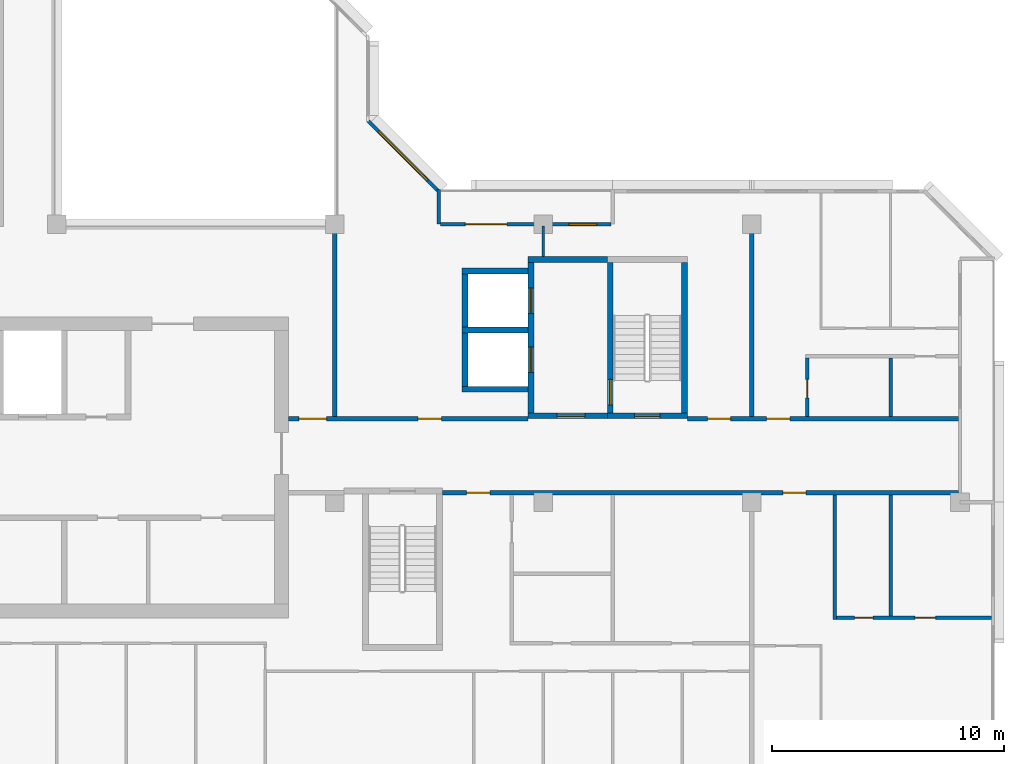
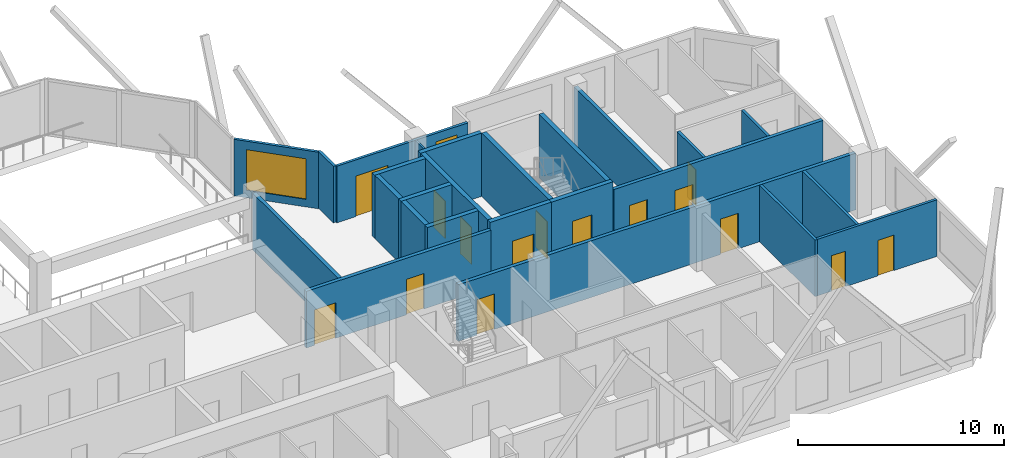
# One storey, part 7 of 13: 25 walls, 15 doors, 2 windows, 17 openings.
"""IFC4 building model written with IfcOpenShell, lengths in metres."""

import ifcopenshell
import ifcopenshell.guid

model = None  # the IFC model being written
_history = None  # IfcOwnerHistory: only IFC2X3 demands one
_inside = {}  # id of a spatial element -> (the spatial element, [elements in it])
_under = {}  # id of a project, library or spatial element -> (it, [spatial elements below it])
_declared = {}  # id of a project -> (the project, [libraries it declares])
_typed = {}  # id of a type object -> (the type object, [elements of that type])
_made_of = {}  # id of a material, layer set ... -> (it, [elements and type objects made of it])


def new_model(schema):
    """Start an empty IFC model of exactly this schema.

    Asked for "IFC4X3", IfcOpenShell would pick the latest addendum, in which some entities
    have other attributes; the version numbers below select the first issue.
    IFC2X3 requires an IfcOwnerHistory on every rooted entity: one is made here for all.
    """
    global model, _history
    if schema == "IFC4X3":
        model = ifcopenshell.file(schema_version=(4, 3, 0, 0))
    else:
        model = ifcopenshell.file(schema=schema)
    _inside.clear()
    _under.clear()
    _declared.clear()
    _typed.clear()
    _made_of.clear()
    _history = None
    if model.schema == "IFC2X3":
        org = make("IfcOrganization", Name="unknown")
        user = make(
            "IfcPersonAndOrganization",
            ThePerson=make("IfcPerson", FamilyName="unknown"),
            TheOrganization=org,
        )
        app = make(
            "IfcApplication",
            ApplicationDeveloper=org,
            Version="unknown",
            ApplicationFullName="unknown",
            ApplicationIdentifier="unknown",
        )
        _history = make(
            "IfcOwnerHistory",
            OwningUser=user,
            OwningApplication=app,
            ChangeAction="ADDED",
            CreationDate=0,
        )
    return model


def make(cls, **values):
    """One entity of the class cls with the attributes given. An attribute that is None is left unset."""
    return model.create_entity(
        cls, **{name: value for name, value in values.items() if value is not None}
    )


def rooted(cls, **values):
    """An entity with a GlobalId (a new one), such as an element, a storey or a relation."""
    return make(cls, GlobalId=ifcopenshell.guid.new(), OwnerHistory=_history, **values)


def si_unit(unit_type, name, prefix=None):
    """IfcSIUnit, for example si_unit("LENGTHUNIT", "METRE", prefix="MILLI")."""
    return make("IfcSIUnit", UnitType=unit_type, Prefix=prefix, Name=name)


def assignment(units):
    """IfcUnitAssignment: the units of a project."""
    return None if units is None else make("IfcUnitAssignment", Units=units)


def point(xyz):
    """IfcCartesianPoint."""
    return None if xyz is None else make("IfcCartesianPoint", Coordinates=xyz)


def direction(xyz):
    """IfcDirection."""
    return None if xyz is None else make("IfcDirection", DirectionRatios=xyz)


def frame(location, z_axis=None, x_axis=None):
    """IfcAxis2Placement3D, a coordinate frame: its origin and axes. An axis left out is left unset."""
    return make(
        "IfcAxis2Placement3D",
        Location=point(location),
        Axis=direction(z_axis),
        RefDirection=direction(x_axis),
    )


def frame_2d(location, x_axis=None):
    """IfcAxis2Placement2D, a coordinate frame in the plane: its origin and x axis."""
    return make(
        "IfcAxis2Placement2D", Location=point(location), RefDirection=direction(x_axis)
    )


def origin():
    """The frame at (0, 0, 0) with its axes left unset."""
    return frame((0.0, 0.0, 0.0))


def place(relative_to, where):
    """IfcLocalPlacement: puts the frame where relative to a parent placement (None: the world)."""
    return make(
        "IfcLocalPlacement", PlacementRelTo=relative_to, RelativePlacement=where
    )


def context(
    kind, dimensions, precision=None, world=None, true_north=None, identifier=None
):
    """IfcGeometricRepresentationContext, for example the 3D "Model" context."""
    return make(
        "IfcGeometricRepresentationContext",
        ContextIdentifier=identifier,
        ContextType=kind,
        CoordinateSpaceDimension=dimensions,
        Precision=precision,
        WorldCoordinateSystem=world,
        TrueNorth=true_north,
    )


def subcontext(parent, identifier, kind, view, scale=None):
    """IfcGeometricRepresentationSubContext, for example "Body" below "Model"."""
    return make(
        "IfcGeometricRepresentationSubContext",
        ContextIdentifier=identifier,
        ContextType=kind,
        ParentContext=parent,
        TargetScale=scale,
        TargetView=view,
    )


def project(units=None, contexts=None):
    """IfcProject with its units and contexts."""
    return rooted(
        "IfcProject",
        Name="project",
        RepresentationContexts=contexts,
        UnitsInContext=assignment(units),
    )


def spatial(cls, under=None, at=None, **own):
    """A site, building, storey or space (cls), placed at a placement, below another one or the project."""
    s = rooted(cls, ObjectPlacement=at, **own)
    if under is not None:
        _under.setdefault(under.id(), (under, []))[1].append(s)
    return s


def profile(cls, at=None, kind="AREA", **sizes):
    """A parametric profile (cls). Its sizes go by their IFC names, for example OverallWidth=200.0."""
    return make(cls, ProfileType=kind, Position=at, **sizes)


def rectangle(**sizes):
    """IfcRectangleProfileDef."""
    return profile("IfcRectangleProfileDef", **sizes)


def extrude(swept, where, along, depth):
    """IfcExtrudedAreaSolid: the profile swept, set in the frame where, extruded along a direction by depth."""
    return make(
        "IfcExtrudedAreaSolid",
        SweptArea=swept,
        Position=where,
        ExtrudedDirection=direction(along),
        Depth=depth,
    )


def shape(context_of_items, identifier, shape_type, items):
    """IfcShapeRepresentation: the items that make up one representation, for example the "Body"."""
    return make(
        "IfcShapeRepresentation",
        ContextOfItems=context_of_items,
        RepresentationIdentifier=identifier,
        RepresentationType=shape_type,
        Items=items,
    )


def material(Name=None, Category=None):
    """IfcMaterial."""
    return make("IfcMaterial", Name=Name, Category=Category)


def layer(
    of_material, thickness, ventilated=None, Name=None, Category=None, Priority=None
):
    """IfcMaterialLayer: one layer of a wall or slab, of a material (None: an air gap)."""
    return make(
        "IfcMaterialLayer",
        Material=of_material,
        LayerThickness=thickness,
        IsVentilated=ventilated,
        Name=Name,
        Category=Category,
        Priority=Priority,
    )


def layer_set(layers, Name=None):
    """IfcMaterialLayerSet."""
    return make("IfcMaterialLayerSet", MaterialLayers=layers, LayerSetName=Name)


def made_of(thing, what):
    """Note that an element or type object is made of a material, layer set ...; save() writes the relation."""
    if what is not None:
        _made_of.setdefault(what.id(), (what, []))[1].append(thing)
    return thing


def type_object(cls, material=None, **own):
    """A type object (cls), such as IfcWallType, which elements share."""
    return made_of(rooted(cls, **own), material)


def element(
    cls,
    number,
    at=None,
    inside=None,
    cuts=None,
    type_object=None,
    material=None,
    context=None,
    identifier="Body",
    shape_type=None,
    held_by="IfcProductDefinitionShape",
    body=None,
    shapes=None,
    **own,
):
    """One element of the class cls, such as IfcWall. Its Tag is "e" and its number.

    at: its placement. inside: the storey or other place that contains it. cuts: it is an
    opening in that element (IfcRelVoidsElement). A single representation is given by context,
    identifier, shape_type and body (its items); several are given by shapes. held_by: the class
    of the entity that holds the representations. save() writes the other relations.
    """
    e = rooted(cls, Tag="e%d" % number, ObjectPlacement=at, **own)
    if body is not None:
        shapes = [shape(context, identifier, shape_type, body)]
    if shapes is not None:
        e.Representation = make(held_by, Representations=shapes)
    if inside is not None:
        _inside.setdefault(inside.id(), (inside, []))[1].append(e)
    if cuts is not None:
        rooted(
            "IfcRelVoidsElement", RelatingBuildingElement=cuts, RelatedOpeningElement=e
        )
    if type_object is not None:
        _typed.setdefault(type_object.id(), (type_object, []))[1].append(e)
    return made_of(e, material)


def fill(opening, filler):
    """IfcRelFillsElement: the door or window that sits in an opening."""
    return rooted(
        "IfcRelFillsElement",
        RelatingOpeningElement=opening,
        RelatedBuildingElement=filler,
    )


def aggregate(whole, parts):
    """IfcRelAggregates: a whole, such as a stair, and the parts it consists of."""
    return rooted("IfcRelAggregates", RelatingObject=whole, RelatedObjects=parts)


def save(model, path):
    """Write the relations noted so far, then the file.

    IfcRelAggregates (storeys below a building ...), IfcRelContainedInSpatialStructure (elements
    in a storey), IfcRelDefinesByType, IfcRelAssociatesMaterial and IfcRelDeclares: one each for
    every whole, place, type object, material and project.
    """
    for whole, parts in _under.values():
        aggregate(whole, parts)
    for where, things in _inside.values():
        rooted(
            "IfcRelContainedInSpatialStructure",
            RelatedElements=things,
            RelatingStructure=where,
        )
    for kind, things in _typed.values():
        rooted("IfcRelDefinesByType", RelatedObjects=things, RelatingType=kind)
    for what, things in _made_of.values():
        rooted("IfcRelAssociatesMaterial", RelatedObjects=things, RelatingMaterial=what)
    for by, libraries in _declared.values():
        rooted("IfcRelDeclares", RelatingContext=by, RelatedDefinitions=libraries)
    model.write(path)


model = new_model("IFC4")

# Units and contexts
model_context = context("Model", 3, precision=1e-05, world=origin(), true_north=direction((0.0, 1.0)))
body_context = subcontext(model_context, "Body", "Model", "MODEL_VIEW")
ifc_project = project(units=[si_unit("LENGTHUNIT", "METRE"), si_unit("AREAUNIT", "SQUARE_METRE"), si_unit("VOLUMEUNIT", "CUBIC_METRE"), si_unit("PLANEANGLEUNIT", "RADIAN"), si_unit("MASSUNIT", "GRAM", prefix="KILO")], contexts=[model_context])

# Site, building, storey
site_placement = place(None, origin())
site = spatial("IfcSite", under=ifc_project, at=site_placement, CompositionType="ELEMENT")
building_placement = place(site_placement, origin())
building = spatial("IfcBuilding", under=site, at=building_placement, Name="Chenar Terraces", CompositionType="ELEMENT")
storey_placement = place(building_placement, frame((0.0, 0.0, 280.89990234375)))
storey = spatial("IfcBuildingStorey", under=building, at=storey_placement, Name="L65", CompositionType="ELEMENT", Elevation=280.89990234375)

# Wall, opening, door
ifc_material_1 = material(Name="Concrete C50/60", Category="concrete")
ifc_layer_1 = layer(ifc_material_1, 0.25)
ifc_layer_set_1 = layer_set([ifc_layer_1], Name="Concrete C50/60")
wall_type_1 = type_object("IfcWallType", Name="Core wall 250 Concrete C50/60", PredefinedType="SHEAR", material=ifc_layer_set_1)
wall_1_placement = place(storey_placement, frame((47.77490234375, 15.72509765625, 0.0), z_axis=(0.0, 0.0, 1.0), x_axis=(1.0, 0.0, 0.0)))
wall_1 = element("IfcWall", 1, at=wall_1_placement, inside=storey, type_object=wall_type_1, Name="Core wall ST3_S L65", PredefinedType="SHEAR", context=body_context, shape_type="SweptSolid", body=[
    extrude(rectangle(XDim=3.4501953125, YDim=0.25, at=frame_2d((1.72509765625, 0.0))), origin(), (0.0, 0.0, 1.0), 3.75),
])
opening_1_placement = place(wall_1_placement, frame((1.175048828125, 0.0, 0.0)))
opening_1 = element("IfcOpeningElement", 2, at=opening_1_placement, cuts=wall_1, Name="Opening DL65-C8", PredefinedType="OPENING", context=body_context, shape_type="SweptSolid", body=[
    extrude(rectangle(XDim=1.10009765625, YDim=2.199951171875, at=frame_2d((0.550048828125, 1.10009765625))), frame((0.0, 0.135009765625, 0.0), z_axis=(0.0, -1.0, 0.0), x_axis=(1.0, 0.0, 0.0)), (0.0, 0.0, 1.0), 0.27001953125),
])
ifc_material_2 = material(Name="Steel-framed fire-resisting door leaf", Category="steel")
door_type_1 = type_object("IfcDoorType", Name="Stair fire door FD60 1100 x 2200", OperationType="SINGLE_SWING_LEFT", PredefinedType="DOOR", material=ifc_material_2)
door_1_placement = place(opening_1_placement, frame((1.10009765625, 0.0, 0.0), z_axis=(0.0, 0.0, 1.0), x_axis=(-1.0, 0.0, 0.0)))
door_1 = element("IfcDoor", 3, at=door_1_placement, inside=storey, type_object=door_type_1, Name="Stair door DL65-C8", OperationType="SINGLE_SWING_LEFT", OverallHeight=2.199951171875, OverallWidth=1.10009765625, PredefinedType="DOOR", context=body_context, shape_type="SweptSolid", body=[
    extrude(rectangle(XDim=1.10009765625, YDim=2.199951171875, at=frame_2d((0.550048828125, 1.10009765625))), frame((0.0, 0.02490234375, 0.0), z_axis=(0.0, -1.0, 0.0), x_axis=(1.0, 0.0, 0.0)), (0.0, 0.0, 1.0), 0.050048828125),
])
fill(opening_1, door_1)

wall_2_placement = place(storey_placement, frame((47.89990234375, 15.85009765625, 0.0), z_axis=(0.0, 0.0, 1.0), x_axis=(0.0, 1.0, 0.0)))
wall_2 = element("IfcWall", 4, at=wall_2_placement, inside=storey, type_object=wall_type_1, Name="Core wall ST3_W L65", PredefinedType="SHEAR", context=body_context, shape_type="SweptSolid", body=[
    extrude(rectangle(XDim=6.5, YDim=0.25, at=frame_2d((3.25, 0.0))), origin(), (0.0, 0.0, 1.0), 3.75),
])
opening_2_placement = place(wall_2_placement, frame((0.35009765625, 0.0, 0.0)))
opening_2 = element("IfcOpeningElement", 5, at=opening_2_placement, cuts=wall_2, Name="Opening DL65-C11", PredefinedType="OPENING", context=body_context, shape_type="SweptSolid", body=[
    extrude(rectangle(XDim=1.10009765625, YDim=2.199951171875, at=frame_2d((0.550048828125, 1.10009765625))), frame((0.0, 0.135009765625, 0.0), z_axis=(0.0, -1.0, 0.0), x_axis=(1.0, 0.0, 0.0)), (0.0, 0.0, 1.0), 0.27001953125),
])
door_2_placement = place(opening_2_placement, frame((1.10009765625, 0.0, 0.0), z_axis=(0.0, 0.0, 1.0), x_axis=(-1.0, 0.0, 0.0)))
door_2 = element("IfcDoor", 6, at=door_2_placement, inside=storey, type_object=door_type_1, Name="Stair door DL65-C11", OperationType="SINGLE_SWING_RIGHT", OverallHeight=2.199951171875, OverallWidth=1.10009765625, PredefinedType="DOOR", context=body_context, shape_type="SweptSolid", body=[
    extrude(rectangle(XDim=1.10009765625, YDim=2.199951171875, at=frame_2d((0.550048828125, 1.10009765625))), frame((0.0, 0.02490234375, 0.0), z_axis=(0.0, -1.0, 0.0), x_axis=(1.0, 0.0, 0.0)), (0.0, 0.0, 1.0), 0.050048828125),
])
fill(opening_2, door_2)

# Wall
wall_3_placement = place(storey_placement, frame((51.10009765625, 15.85009765625, 0.0), z_axis=(0.0, 0.0, 1.0), x_axis=(0.0, 1.0, 0.0)))
element("IfcWall", 7, at=wall_3_placement, inside=storey, type_object=wall_type_1, Name="Core wall ST3_E L65", PredefinedType="SHEAR", context=body_context, shape_type="SweptSolid", body=[
    extrude(rectangle(XDim=6.5, YDim=0.25, at=frame_2d((3.25, 0.0))), origin(), (0.0, 0.0, 1.0), 3.75),
])

# Wall, opening, door
wall_4_placement = place(storey_placement, frame((44.35009765625, 15.72509765625, 0.0), z_axis=(0.0, 0.0, 1.0), x_axis=(1.0, 0.0, 0.0)))
wall_4 = element("IfcWall", 8, at=wall_4_placement, inside=storey, type_object=wall_type_1, Name="Core wall F3_LS L65", PredefinedType="SHEAR", context=body_context, shape_type="SweptSolid", body=[
    extrude(rectangle(XDim=3.4248046875, YDim=0.25, at=frame_2d((1.71240234375, 0.0))), origin(), (0.0, 0.0, 1.0), 3.75),
])
opening_3_placement = place(wall_4_placement, frame((1.25, 0.0, 0.0)))
opening_3 = element("IfcOpeningElement", 9, at=opening_3_placement, cuts=wall_4, Name="Opening DL65-C10", PredefinedType="OPENING", context=body_context, shape_type="SweptSolid", body=[
    extrude(rectangle(XDim=1.199951171875, YDim=2.199951171875, at=frame_2d((0.60009765625, 1.10009765625))), frame((0.0, 0.135009765625, 0.0), z_axis=(0.0, -1.0, 0.0), x_axis=(1.0, 0.0, 0.0)), (0.0, 0.0, 1.0), 0.27001953125),
])
ifc_material_3 = material(Name="Steel-framed fire-resisting door leaf", Category="steel")
door_type_2 = type_object("IfcDoorType", Name="Lobby fire door FD60 1200 x 2200", OperationType="SINGLE_SWING_LEFT", PredefinedType="DOOR", material=ifc_material_3)
door_3_placement = place(opening_3_placement, origin())
door_3 = element("IfcDoor", 10, at=door_3_placement, inside=storey, type_object=door_type_2, Name="Core door DL65-C10", OperationType="SINGLE_SWING_RIGHT", OverallHeight=2.199951171875, OverallWidth=1.199951171875, PredefinedType="DOOR", context=body_context, shape_type="SweptSolid", body=[
    extrude(rectangle(XDim=1.199951171875, YDim=2.199951171875, at=frame_2d((0.60009765625, 1.10009765625))), frame((0.0, 0.02490234375, 0.0), z_axis=(0.0, -1.0, 0.0), x_axis=(1.0, 0.0, 0.0)), (0.0, 0.0, 1.0), 0.050048828125),
])
fill(opening_3, door_3)

# Wall
wall_5_placement = place(storey_placement, frame((44.35009765625, 22.47509765625, 0.0), z_axis=(0.0, 0.0, 1.0), x_axis=(1.0, 0.0, 0.0)))
element("IfcWall", 11, at=wall_5_placement, inside=storey, type_object=wall_type_1, Name="Core wall F3_LN L65", PredefinedType="SHEAR", context=body_context, shape_type="SweptSolid", body=[
    extrude(rectangle(XDim=3.4248046875, YDim=0.25, at=frame_2d((1.71240234375, 0.0))), origin(), (0.0, 0.0, 1.0), 3.75),
])

# Wall, openings, doors
wall_6_placement = place(storey_placement, frame((44.47509765625, 15.85009765625, 0.0), z_axis=(0.0, 0.0, 1.0), x_axis=(0.0, 1.0, 0.0)))
wall_6 = element("IfcWall", 12, at=wall_6_placement, inside=storey, type_object=wall_type_1, Name="Core wall F3_LW L65", PredefinedType="SHEAR", context=body_context, shape_type="SweptSolid", body=[
    extrude(rectangle(XDim=6.5, YDim=0.25, at=frame_2d((3.25, 0.0))), origin(), (0.0, 0.0, 1.0), 3.75),
])
opening_4_placement = place(wall_6_placement, frame((1.75, 0.0, 0.0)))
opening_4 = element("IfcOpeningElement", 13, at=opening_4_placement, cuts=wall_6, Name="Opening DL65-LD8", PredefinedType="OPENING", context=body_context, shape_type="SweptSolid", body=[
    extrude(rectangle(XDim=1.10009765625, YDim=2.199951171875, at=frame_2d((0.550048828125, 1.10009765625))), frame((0.0, 0.135009765625, 0.0), z_axis=(0.0, -1.0, 0.0), x_axis=(1.0, 0.0, 0.0)), (0.0, 0.0, 1.0), 0.27001953125),
])
opening_5_placement = place(wall_6_placement, frame((4.300048828125, 0.0, 0.0)))
opening_5 = element("IfcOpeningElement", 14, at=opening_5_placement, cuts=wall_6, Name="Opening DL65-LD9", PredefinedType="OPENING", context=body_context, shape_type="SweptSolid", body=[
    extrude(rectangle(XDim=1.10009765625, YDim=2.199951171875, at=frame_2d((0.550048828125, 1.10009765625))), frame((0.0, 0.135009765625, 0.0), z_axis=(0.0, -1.0, 0.0), x_axis=(1.0, 0.0, 0.0)), (0.0, 0.0, 1.0), 0.27001953125),
])
ifc_material_4 = material(Name="Stainless steel", Category="steel")
door_type_3 = type_object("IfcDoorType", Name="Lift landing door 1100 x 2200 sliding", OperationType="DOUBLE_DOOR_SLIDING", PredefinedType="DOOR", material=ifc_material_4)
door_4_placement = place(opening_4_placement, origin())
door_4 = element("IfcDoor", 15, at=door_4_placement, inside=storey, type_object=door_type_3, Name="Landing door F3", OperationType="DOUBLE_DOOR_SLIDING", OverallHeight=2.199951171875, OverallWidth=1.10009765625, PredefinedType="DOOR", context=body_context, shape_type="SweptSolid", body=[
    extrude(rectangle(XDim=1.10009765625, YDim=2.199951171875, at=frame_2d((0.550048828125, 1.10009765625))), frame((0.0, 0.02490234375, 0.0), z_axis=(0.0, -1.0, 0.0), x_axis=(1.0, 0.0, 0.0)), (0.0, 0.0, 1.0), 0.050048828125),
])
fill(opening_4, door_4)
door_5_placement = place(opening_5_placement, origin())
door_5 = element("IfcDoor", 16, at=door_5_placement, inside=storey, type_object=door_type_3, Name="Landing door F4", OperationType="DOUBLE_DOOR_SLIDING", OverallHeight=2.199951171875, OverallWidth=1.10009765625, PredefinedType="DOOR", context=body_context, shape_type="SweptSolid", body=[
    extrude(rectangle(XDim=1.10009765625, YDim=2.199951171875, at=frame_2d((0.550048828125, 1.10009765625))), frame((0.0, 0.02490234375, 0.0), z_axis=(0.0, -1.0, 0.0), x_axis=(1.0, 0.0, 0.0)), (0.0, 0.0, 1.0), 0.050048828125),
])
fill(opening_5, door_5)

# Walls
for number, where, z_axis, x_axis, name in (
    (17, (41.5, 16.875, 0.0), (0.0, 0.0, 1.0), (1.0, 0.0, 0.0), "Core wall F3_SS L65"),
    (18, (41.5, 19.425048828125, 0.0), (0.0, 0.0, 1.0), (1.0, 0.0, 0.0), "Core wall F3_SM L65"),
    (19, (41.5, 21.97509765625, 0.0), (0.0, 0.0, 1.0), (1.0, 0.0, 0.0), "Core wall F4_SN L65"),
):
    element("IfcWall", number, at=place(storey_placement, frame(where, z_axis=z_axis, x_axis=x_axis)), inside=storey, type_object=wall_type_1, Name=name, PredefinedType="SHEAR", context=body_context, shape_type="SweptSolid", body=[
        extrude(rectangle(XDim=2.85009765625, YDim=0.25, at=frame_2d((1.425048828125, 0.0))), origin(), (0.0, 0.0, 1.0), 3.75),
    ])
for number, where, z_axis, x_axis, name in (
    (20, (41.625, 17.0, 0.0), (0.0, 0.0, 1.0), (0.0, 1.0, 0.0), "Core wall F3_SW L65"),
    (21, (41.625, 19.550048828125, 0.0), (0.0, 0.0, 1.0), (0.0, 1.0, 0.0), "Core wall F4_SW L65"),
):
    element("IfcWall", number, at=place(storey_placement, frame(where, z_axis=z_axis, x_axis=x_axis)), inside=storey, type_object=wall_type_1, Name=name, PredefinedType="SHEAR", context=body_context, shape_type="SweptSolid", body=[
        extrude(rectangle(XDim=2.300048828125, YDim=0.25, at=frame_2d((1.14990234375, 0.0))), origin(), (0.0, 0.0, 1.0), 3.75),
    ])

# Wall, openings, doors
ifc_material_5 = material(Name="Gypsum board on steel studs with fire boards", Category="steel")
ifc_layer_2 = layer(ifc_material_5, 0.199951171875)
ifc_layer_set_2 = layer_set([ifc_layer_2], Name="Gypsum board on steel studs with fire boards")
wall_type_2 = type_object("IfcWallType", Name="Corridor wall 200", PredefinedType="PARTITIONING", material=ifc_layer_set_2)
wall_7_placement = place(storey_placement, frame((34.0, 15.60009765625, 0.0), z_axis=(0.0, 0.0, 1.0), x_axis=(1.0, 0.0, 0.0)))
wall_7 = element("IfcWall", 22, at=wall_7_placement, inside=storey, type_object=wall_type_2, Name="Partition L65-049", PredefinedType="PARTITIONING", context=body_context, shape_type="SweptSolid", body=[
    extrude(rectangle(XDim=10.35009765625, YDim=0.199951171875, at=frame_2d((5.175048828125, 0.0))), origin(), (0.0, 0.0, 1.0), 3.35009765625),
])
opening_6_placement = place(wall_7_placement, frame((5.60009765625, 0.0, 0.0)))
opening_6 = element("IfcOpeningElement", 23, at=opening_6_placement, cuts=wall_7, Name="Opening DL65-3", PredefinedType="OPENING", context=body_context, shape_type="SweptSolid", body=[
    extrude(rectangle(XDim=1.0, YDim=2.10009765625, at=frame_2d((0.5, 1.050048828125))), frame((0.0, 0.10986328125, 0.0), z_axis=(0.0, -1.0, 0.0), x_axis=(1.0, 0.0, 0.0)), (0.0, 0.0, 1.0), 0.219970703125),
])
opening_7_placement = place(wall_7_placement, frame((0.449951171875, 0.0, 0.0)))
opening_7 = element("IfcOpeningElement", 24, at=opening_7_placement, cuts=wall_7, Name="Opening DL65-28", PredefinedType="OPENING", context=body_context, shape_type="SweptSolid", body=[
    extrude(rectangle(XDim=1.199951171875, YDim=2.10009765625, at=frame_2d((0.60009765625, 1.050048828125))), frame((0.0, 0.10986328125, 0.0), z_axis=(0.0, -1.0, 0.0), x_axis=(1.0, 0.0, 0.0)), (0.0, 0.0, 1.0), 0.219970703125),
])
ifc_material_6 = material(Name="Steel-framed fire-resisting door leaf", Category="steel")
door_type_4 = type_object("IfcDoorType", Name="Fire door FD60 1000 x 2100", OperationType="SINGLE_SWING_LEFT", PredefinedType="DOOR", material=ifc_material_6)
door_6_placement = place(opening_6_placement, origin())
door_6 = element("IfcDoor", 25, at=door_6_placement, inside=storey, type_object=door_type_4, Name="Door DL65-3", OperationType="SINGLE_SWING_RIGHT", OverallHeight=2.10009765625, OverallWidth=1.0, PredefinedType="DOOR", context=body_context, shape_type="SweptSolid", body=[
    extrude(rectangle(XDim=1.0, YDim=2.10009765625, at=frame_2d((0.5, 1.050048828125))), frame((0.0, 0.02490234375, 0.0), z_axis=(0.0, -1.0, 0.0), x_axis=(1.0, 0.0, 0.0)), (0.0, 0.0, 1.0), 0.050048828125),
])
fill(opening_6, door_6)
ifc_material_7 = material(Name="Steel-framed fire-resisting door leaf", Category="steel")
door_type_5 = type_object("IfcDoorType", Name="Fire door FD60 1200 x 2100", OperationType="SINGLE_SWING_LEFT", PredefinedType="DOOR", material=ifc_material_7)
door_7_placement = place(opening_7_placement, origin())
door_7 = element("IfcDoor", 26, at=door_7_placement, inside=storey, type_object=door_type_5, Name="Door DL65-28", OperationType="SINGLE_SWING_RIGHT", OverallHeight=2.10009765625, OverallWidth=1.199951171875, PredefinedType="DOOR", context=body_context, shape_type="SweptSolid", body=[
    extrude(rectangle(XDim=1.199951171875, YDim=2.10009765625, at=frame_2d((0.60009765625, 1.050048828125))), frame((0.0, 0.02490234375, 0.0), z_axis=(0.0, -1.0, 0.0), x_axis=(1.0, 0.0, 0.0)), (0.0, 0.0, 1.0), 0.050048828125),
])
fill(opening_7, door_7)

# Wall
wall_8_placement = place(storey_placement, frame((36.0, 15.699951171875, 0.0), z_axis=(0.0, 0.0, 1.0), x_axis=(0.0, 1.0, 0.0)))
element("IfcWall", 27, at=wall_8_placement, inside=storey, type_object=wall_type_2, Name="Partition L65-050", PredefinedType="PARTITIONING", context=body_context, shape_type="SweptSolid", body=[
    extrude(rectangle(XDim=8.300048828125, YDim=0.199951171875, at=frame_2d((4.14990234375, 0.0))), origin(), (0.0, 0.0, 1.0), 3.35009765625),
])

# Wall, openings, doors
wall_9_placement = place(storey_placement, frame((40.64990234375, 12.39990234375, 0.0), z_axis=(0.0, 0.0, 1.0), x_axis=(1.0, 0.0, 0.0)))
wall_9 = element("IfcWall", 28, at=wall_9_placement, inside=storey, type_object=wall_type_2, Name="Partition L65-051", PredefinedType="PARTITIONING", context=body_context, shape_type="SweptSolid", body=[
    extrude(rectangle(XDim=22.276123046875, YDim=0.199951171875, at=frame_2d((11.13818359375, 0.0))), origin(), (0.0, 0.0, 1.0), 3.35009765625),
])
opening_8_placement = place(wall_9_placement, frame((14.699951171875, 0.0, 0.0)))
opening_8 = element("IfcOpeningElement", 29, at=opening_8_placement, cuts=wall_9, Name="Opening DL65-12", PredefinedType="OPENING", context=body_context, shape_type="SweptSolid", body=[
    extrude(rectangle(XDim=1.0, YDim=2.10009765625, at=frame_2d((0.5, 1.050048828125))), frame((0.0, 0.10986328125, 0.0), z_axis=(0.0, -1.0, 0.0), x_axis=(1.0, 0.0, 0.0)), (0.0, 0.0, 1.0), 0.219970703125),
])
opening_9_placement = place(wall_9_placement, frame((1.050048828125, 0.0, 0.0)))
opening_9 = element("IfcOpeningElement", 30, at=opening_9_placement, cuts=wall_9, Name="Opening DL65-45", PredefinedType="OPENING", context=body_context, shape_type="SweptSolid", body=[
    extrude(rectangle(XDim=1.0, YDim=2.10009765625, at=frame_2d((0.5, 1.050048828125))), frame((0.0, 0.10986328125, 0.0), z_axis=(0.0, -1.0, 0.0), x_axis=(1.0, 0.0, 0.0)), (0.0, 0.0, 1.0), 0.219970703125),
])
ifc_material_8 = material(Name="Steel-framed fire-resisting door leaf", Category="steel")
door_type_6 = type_object("IfcDoorType", Name="Fire door FD30S 1000 x 2100", OperationType="SINGLE_SWING_LEFT", PredefinedType="DOOR", material=ifc_material_8)
door_8_placement = place(opening_8_placement, frame((1.0, 0.0, 0.0), z_axis=(0.0, 0.0, 1.0), x_axis=(-1.0, 0.0, 0.0)))
door_8 = element("IfcDoor", 31, at=door_8_placement, inside=storey, type_object=door_type_6, Name="Door DL65-12", OperationType="SINGLE_SWING_RIGHT", OverallHeight=2.10009765625, OverallWidth=1.0, PredefinedType="DOOR", context=body_context, shape_type="SweptSolid", body=[
    extrude(rectangle(XDim=1.0, YDim=2.10009765625, at=frame_2d((0.5, 1.050048828125))), frame((0.0, 0.02490234375, 0.0), z_axis=(0.0, -1.0, 0.0), x_axis=(1.0, 0.0, 0.0)), (0.0, 0.0, 1.0), 0.050048828125),
])
fill(opening_8, door_8)
door_9_placement = place(opening_9_placement, origin())
door_9 = element("IfcDoor", 32, at=door_9_placement, inside=storey, type_object=door_type_6, Name="Door DL65-45", OperationType="SINGLE_SWING_LEFT", OverallHeight=2.10009765625, OverallWidth=1.0, PredefinedType="DOOR", context=body_context, shape_type="SweptSolid", body=[
    extrude(rectangle(XDim=1.0, YDim=2.10009765625, at=frame_2d((0.5, 1.050048828125))), frame((0.0, 0.02490234375, 0.0), z_axis=(0.0, -1.0, 0.0), x_axis=(1.0, 0.0, 0.0)), (0.0, 0.0, 1.0), 0.050048828125),
])
fill(opening_9, door_9)

wall_10_placement = place(storey_placement, frame((51.22509765625, 15.60009765625, 0.0), z_axis=(0.0, 0.0, 1.0), x_axis=(1.0, 0.0, 0.0)))
wall_10 = element("IfcWall", 33, at=wall_10_placement, inside=storey, type_object=wall_type_2, Name="Partition L65-061", PredefinedType="PARTITIONING", context=body_context, shape_type="SweptSolid", body=[
    extrude(rectangle(XDim=11.700927734375, YDim=0.199951171875, at=frame_2d((5.8505859375, 0.0))), origin(), (0.0, 0.0, 1.0), 3.35009765625),
])
opening_10_placement = place(wall_10_placement, frame((3.425048828125, 0.0, 0.0)))
opening_10 = element("IfcOpeningElement", 34, at=opening_10_placement, cuts=wall_10, Name="Opening DL65-8", PredefinedType="OPENING", context=body_context, shape_type="SweptSolid", body=[
    extrude(rectangle(XDim=1.0, YDim=2.10009765625, at=frame_2d((0.5, 1.050048828125))), frame((0.0, 0.10986328125, 0.0), z_axis=(0.0, -1.0, 0.0), x_axis=(1.0, 0.0, 0.0)), (0.0, 0.0, 1.0), 0.219970703125),
])
opening_11_placement = place(wall_10_placement, frame((0.875, 0.0, 0.0)))
opening_11 = element("IfcOpeningElement", 35, at=opening_11_placement, cuts=wall_10, Name="Opening DL65-31", PredefinedType="OPENING", context=body_context, shape_type="SweptSolid", body=[
    extrude(rectangle(XDim=1.0, YDim=2.10009765625, at=frame_2d((0.5, 1.050048828125))), frame((0.0, 0.10986328125, 0.0), z_axis=(0.0, -1.0, 0.0), x_axis=(1.0, 0.0, 0.0)), (0.0, 0.0, 1.0), 0.219970703125),
])
door_10_placement = place(opening_10_placement, origin())
door_10 = element("IfcDoor", 36, at=door_10_placement, inside=storey, type_object=door_type_6, Name="Door DL65-8", OperationType="SINGLE_SWING_LEFT", OverallHeight=2.10009765625, OverallWidth=1.0, PredefinedType="DOOR", context=body_context, shape_type="SweptSolid", body=[
    extrude(rectangle(XDim=1.0, YDim=2.10009765625, at=frame_2d((0.5, 1.050048828125))), frame((0.0, 0.02490234375, 0.0), z_axis=(0.0, -1.0, 0.0), x_axis=(1.0, 0.0, 0.0)), (0.0, 0.0, 1.0), 0.050048828125),
])
fill(opening_10, door_10)
door_11_placement = place(opening_11_placement, origin())
door_11 = element("IfcDoor", 37, at=door_11_placement, inside=storey, type_object=door_type_6, Name="Door DL65-31", OperationType="SINGLE_SWING_RIGHT", OverallHeight=2.10009765625, OverallWidth=1.0, PredefinedType="DOOR", context=body_context, shape_type="SweptSolid", body=[
    extrude(rectangle(XDim=1.0, YDim=2.10009765625, at=frame_2d((0.5, 1.050048828125))), frame((0.0, 0.02490234375, 0.0), z_axis=(0.0, -1.0, 0.0), x_axis=(1.0, 0.0, 0.0)), (0.0, 0.0, 1.0), 0.050048828125),
])
fill(opening_11, door_11)

# Wall, openings, window, door
ifc_material_9 = material(Name="Aluminium framed glazing", Category="aluminium")
ifc_layer_3 = layer(ifc_material_9, 0.14990234375)
ifc_layer_set_3 = layer_set([ifc_layer_3], Name="Aluminium framed glazing")
wall_type_3 = type_object("IfcWallType", Name="Glazed loggia back wall 150", PredefinedType="SOLIDWALL", material=ifc_layer_set_3)
wall_11_placement = place(storey_placement, frame((47.925048828125, 24.0, 0.0), z_axis=(0.0, 0.0, 1.0), x_axis=(-1.0, 0.0, 0.0)))
wall_11 = element("IfcWall", 38, at=wall_11_placement, inside=storey, type_object=wall_type_3, Name="Glazed loggia back wall", PredefinedType="SOLIDWALL", context=body_context, shape_type="SweptSolid", body=[
    extrude(rectangle(XDim=7.35009765625, YDim=0.14990234375, at=frame_2d((3.675048828125, 0.0))), origin(), (0.0, 0.0, 1.0), 3.35009765625),
])
opening_12_placement = place(wall_11_placement, frame((0.612548828125, 0.0, 0.449951171875)))
opening_12 = element("IfcOpeningElement", 39, at=opening_12_placement, cuts=wall_11, Name="Opening W120x240", PredefinedType="OPENING", context=body_context, shape_type="SweptSolid", body=[
    extrude(rectangle(XDim=1.199951171875, YDim=2.39990234375, at=frame_2d((0.60009765625, 1.199951171875))), frame((0.0, 0.0849609375, 0.0), z_axis=(0.0, -1.0, 0.0), x_axis=(1.0, 0.0, 0.0)), (0.0, 0.0, 1.0), 0.169921875),
])
opening_13_placement = place(wall_11_placement, frame((4.487548828125, 0.0, 0.0)))
opening_13 = element("IfcOpeningElement", 40, at=opening_13_placement, cuts=wall_11, Name="Opening DL65-G1", PredefinedType="OPENING", context=body_context, shape_type="SweptSolid", body=[
    extrude(rectangle(XDim=1.800048828125, YDim=2.39990234375, at=frame_2d((0.89990234375, 1.199951171875))), frame((0.0, 0.0849609375, 0.0), z_axis=(0.0, -1.0, 0.0), x_axis=(1.0, 0.0, 0.0)), (0.0, 0.0, 1.0), 0.169921875),
])
ifc_material_10 = material(Name="Low emissivity double glazing, aluminium frame", Category="aluminium")
window_type_1 = type_object("IfcWindowType", Name="Fixed light 1200 x 2400", PartitioningType="SINGLE_PANEL", PredefinedType="WINDOW", material=ifc_material_10)
window_1_placement = place(opening_12_placement, origin())
window_1 = element("IfcWindow", 41, at=window_1_placement, inside=storey, type_object=window_type_1, Name="Window", OverallHeight=2.39990234375, OverallWidth=1.199951171875, PartitioningType="SINGLE_PANEL", PredefinedType="WINDOW", context=body_context, shape_type="SweptSolid", body=[
    extrude(rectangle(XDim=1.199951171875, YDim=2.39990234375, at=frame_2d((0.60009765625, 1.199951171875))), frame((0.0, 0.030029296875, 0.0), z_axis=(0.0, -1.0, 0.0), x_axis=(1.0, 0.0, 0.0)), (0.0, 0.0, 1.0), 0.06005859375),
])
fill(opening_12, window_1)
ifc_material_11 = material(Name="Low emissivity double glazing, aluminium frame", Category="aluminium")
door_type_7 = type_object("IfcDoorType", Name="Loggia glazed double door 1800 x 2400", OperationType="DOUBLE_DOOR_SINGLE_SWING", PredefinedType="DOOR", material=ifc_material_11)
door_12_placement = place(opening_13_placement, frame((1.800048828125, 0.0, 0.0), z_axis=(0.0, 0.0, 1.0), x_axis=(-1.0, 0.0, 0.0)))
door_12 = element("IfcDoor", 42, at=door_12_placement, inside=storey, type_object=door_type_7, Name="Loggia glazed door", OperationType="DOUBLE_DOOR_SINGLE_SWING", OverallHeight=2.39990234375, OverallWidth=1.800048828125, PredefinedType="DOOR", context=body_context, shape_type="SweptSolid", body=[
    extrude(rectangle(XDim=1.800048828125, YDim=2.39990234375, at=frame_2d((0.89990234375, 1.199951171875))), frame((0.0, 0.02490234375, 0.0), z_axis=(0.0, -1.0, 0.0), x_axis=(1.0, 0.0, 0.0)), (0.0, 0.0, 1.0), 0.050048828125),
])
fill(opening_13, door_12)

# Walls
ifc_material_12 = material(Name="Gypsum board on steel studs", Category="steel")
ifc_layer_4 = layer(ifc_material_12, 0.10009765625)
ifc_layer_set_4 = layer_set([ifc_layer_4], Name="Gypsum board on steel studs")
wall_type_4 = type_object("IfcWallType", Name="Gypsum partition 100", PredefinedType="PARTITIONING", material=ifc_layer_set_4)
wall_12_placement = place(storey_placement, frame((45.0, 22.60009765625, 0.0), z_axis=(0.0, 0.0, 1.0), x_axis=(0.0, 1.0, 0.0)))
element("IfcWall", 43, at=wall_12_placement, inside=storey, type_object=wall_type_4, Name="Partition L65-057", PredefinedType="PARTITIONING", context=body_context, shape_type="SweptSolid", body=[
    extrude(rectangle(XDim=1.325927734375, YDim=0.10009765625, at=frame_2d((0.6630859375, 0.0))), origin(), (0.0, 0.0, 1.0), 3.35009765625),
])
ifc_material_13 = material(Name="Terracotta cladding on insulated backing", Category="masonry")
ifc_layer_5 = layer(ifc_material_13, 0.14990234375)
ifc_layer_set_5 = layer_set([ifc_layer_5], Name="Terracotta cladding on insulated backing")
wall_type_5 = type_object("IfcWallType", Name="Loggia return wall 150", PredefinedType="SOLIDWALL", material=ifc_layer_set_5)
wall_13_placement = place(storey_placement, frame((40.5, 25.5, 0.0), z_axis=(0.0, 0.0, 1.0), x_axis=(0.0, -1.0, 0.0)))
element("IfcWall", 44, at=wall_13_placement, inside=storey, type_object=wall_type_5, Name="Loggia return wall", PredefinedType="SOLIDWALL", context=body_context, shape_type="SweptSolid", body=[
    extrude(rectangle(XDim=1.5, YDim=0.14990234375, at=frame_2d((0.75, 0.0))), origin(), (0.0, 0.0, 1.0), 3.35009765625),
])

# Wall, opening, window
ifc_material_14 = material(Name="Terracotta cladding on insulated backing", Category="masonry")
ifc_layer_6 = layer(ifc_material_14, 0.14990234375)
ifc_layer_set_6 = layer_set([ifc_layer_6], Name="Terracotta cladding on insulated backing")
wall_type_6 = type_object("IfcWallType", Name="Terracotta rainscreen wall 150", PredefinedType="SOLIDWALL", material=ifc_layer_set_6)
wall_14_placement = place(storey_placement, frame((40.447021484375, 25.447021484375, 0.0), z_axis=(0.0, 0.0, 1.0), x_axis=(-0.707106781187, 0.707106781187, 0.0)))
wall_14 = element("IfcWall", 45, at=wall_14_placement, inside=storey, type_object=wall_type_6, Name="Terracotta rainscreen wall", PredefinedType="SOLIDWALL", context=body_context, shape_type="SweptSolid", body=[
    extrude(rectangle(XDim=4.24267578125, YDim=0.14990234375, at=frame_2d((2.121337890625, 0.0))), origin(), (0.0, 0.0, 1.0), 3.35009765625),
])
opening_14_placement = place(wall_14_placement, frame((0.621337890625, 0.0, 0.449951171875)))
opening_14 = element("IfcOpeningElement", 46, at=opening_14_placement, cuts=wall_14, Name="Opening W300x240", PredefinedType="OPENING", context=body_context, shape_type="SweptSolid", body=[
    extrude(rectangle(XDim=3.0, YDim=2.39990234375, at=frame_2d((1.5, 1.199951171875))), frame((0.0, 0.0849609375, 0.0), z_axis=(0.0, -1.0, 0.0), x_axis=(1.0, 0.0, 0.0)), (0.0, 0.0, 1.0), 0.169921875),
])
ifc_material_15 = material(Name="Low emissivity double glazing, aluminium frame", Category="aluminium")
window_type_2 = type_object("IfcWindowType", Name="Fixed light 3000 x 2400", PartitioningType="SINGLE_PANEL", PredefinedType="WINDOW", material=ifc_material_15)
window_2_placement = place(opening_14_placement, origin())
window_2 = element("IfcWindow", 47, at=window_2_placement, inside=storey, type_object=window_type_2, Name="Window", OverallHeight=2.39990234375, OverallWidth=3.0, PartitioningType="SINGLE_PANEL", PredefinedType="WINDOW", context=body_context, shape_type="SweptSolid", body=[
    extrude(rectangle(XDim=3.0, YDim=2.39990234375, at=frame_2d((1.5, 1.199951171875))), frame((0.0, 0.030029296875, 0.0), z_axis=(0.0, -1.0, 0.0), x_axis=(1.0, 0.0, 0.0)), (0.0, 0.0, 1.0), 0.06005859375),
])
fill(opening_14, window_2)

# Wall
ifc_material_16 = material(Name="Twin gypsum board on steel studs with mineral wool", Category="steel")
ifc_layer_7 = layer(ifc_material_16, 0.199951171875)
ifc_layer_set_7 = layer_set([ifc_layer_7], Name="Twin gypsum board on steel studs with mineral wool")
wall_type_7 = type_object("IfcWallType", Name="Unit demising wall 200", PredefinedType="PARTITIONING", material=ifc_layer_set_7)
wall_15_placement = place(storey_placement, frame((54.0, 15.699951171875, 0.0), z_axis=(0.0, 0.0, 1.0), x_axis=(0.0, 1.0, 0.0)))
element("IfcWall", 48, at=wall_15_placement, inside=storey, type_object=wall_type_7, Name="Partition L65-064", PredefinedType="PARTITIONING", context=body_context, shape_type="SweptSolid", body=[
    extrude(rectangle(XDim=8.300048828125, YDim=0.199951171875, at=frame_2d((4.14990234375, 0.0))), origin(), (0.0, 0.0, 1.0), 3.35009765625),
])

# Wall, opening, door
ifc_material_17 = material(Name="Moisture-resistant gypsum board on steel studs", Category="steel")
ifc_layer_8 = layer(ifc_material_17, 0.14990234375)
ifc_layer_set_8 = layer_set([ifc_layer_8], Name="Moisture-resistant gypsum board on steel studs")
wall_type_8 = type_object("IfcWallType", Name="Wet-room partition 150", PredefinedType="PARTITIONING", material=ifc_layer_set_8)
wall_16_placement = place(storey_placement, frame((56.39990234375, 15.699951171875, 0.0), z_axis=(0.0, 0.0, 1.0), x_axis=(0.0, 1.0, 0.0)))
wall_16 = element("IfcWall", 49, at=wall_16_placement, inside=storey, type_object=wall_type_8, Name="Partition L65-067", PredefinedType="PARTITIONING", context=body_context, shape_type="SweptSolid", body=[
    extrude(rectangle(XDim=2.525146484375, YDim=0.14990234375, at=frame_2d((1.2626953125, 0.0))), origin(), (0.0, 0.0, 1.0), 3.35009765625),
])
opening_15_placement = place(wall_16_placement, frame((0.800048828125, 0.0, 0.0)))
opening_15 = element("IfcOpeningElement", 50, at=opening_15_placement, cuts=wall_16, Name="Opening DL65-4", PredefinedType="OPENING", context=body_context, shape_type="SweptSolid", body=[
    extrude(rectangle(XDim=0.800048828125, YDim=2.10009765625, at=frame_2d((0.39990234375, 1.050048828125))), frame((0.0, 0.0849609375, 0.0), z_axis=(0.0, -1.0, 0.0), x_axis=(1.0, 0.0, 0.0)), (0.0, 0.0, 1.0), 0.169921875),
])
ifc_material_18 = material(Name="Veneered timber door leaf", Category="wood")
door_type_8 = type_object("IfcDoorType", Name="Door 800 x 2100", OperationType="SINGLE_SWING_LEFT", PredefinedType="DOOR", material=ifc_material_18)
door_13_placement = place(opening_15_placement, frame((0.800048828125, 0.0, 0.0), z_axis=(0.0, 0.0, 1.0), x_axis=(-1.0, 0.0, 0.0)))
door_13 = element("IfcDoor", 51, at=door_13_placement, inside=storey, type_object=door_type_8, Name="Door DL65-4", OperationType="SINGLE_SWING_RIGHT", OverallHeight=2.10009765625, OverallWidth=0.800048828125, PredefinedType="DOOR", context=body_context, shape_type="SweptSolid", body=[
    extrude(rectangle(XDim=0.800048828125, YDim=2.10009765625, at=frame_2d((0.39990234375, 1.050048828125))), frame((0.0, 0.02490234375, 0.0), z_axis=(0.0, -1.0, 0.0), x_axis=(1.0, 0.0, 0.0)), (0.0, 0.0, 1.0), 0.050048828125),
])
fill(opening_15, door_13)

# Wall
wall_17_placement = place(storey_placement, frame((57.60009765625, 6.925048828125, 0.0), z_axis=(0.0, 0.0, 1.0), x_axis=(0.0, 1.0, 0.0)))
element("IfcWall", 52, at=wall_17_placement, inside=storey, type_object=wall_type_8, Name="Partition L65-071", PredefinedType="PARTITIONING", context=body_context, shape_type="SweptSolid", body=[
    extrude(rectangle(XDim=5.375, YDim=0.14990234375, at=frame_2d((2.6875, 0.0))), origin(), (0.0, 0.0, 1.0), 3.35009765625),
])

# Wall, openings, doors
wall_18_placement = place(storey_placement, frame((57.675048828125, 7.0, 0.0), z_axis=(0.0, 0.0, 1.0), x_axis=(1.0, 0.0, 0.0)))
wall_18 = element("IfcWall", 53, at=wall_18_placement, inside=storey, type_object=wall_type_8, Name="Partition L65-072", PredefinedType="PARTITIONING", context=body_context, shape_type="SweptSolid", body=[
    extrude(rectangle(XDim=6.675048828125, YDim=0.14990234375, at=frame_2d((3.33740234375, 0.0))), origin(), (0.0, 0.0, 1.0), 3.35009765625),
])
opening_16_placement = place(wall_18_placement, frame((0.77490234375, 0.0, 0.0)))
opening_16 = element("IfcOpeningElement", 54, at=opening_16_placement, cuts=wall_18, Name="Opening DL65-9", PredefinedType="OPENING", context=body_context, shape_type="SweptSolid", body=[
    extrude(rectangle(XDim=0.800048828125, YDim=2.10009765625, at=frame_2d((0.39990234375, 1.050048828125))), frame((0.0, 0.0849609375, 0.0), z_axis=(0.0, -1.0, 0.0), x_axis=(1.0, 0.0, 0.0)), (0.0, 0.0, 1.0), 0.169921875),
])
opening_17_placement = place(wall_18_placement, frame((3.375, 0.0, 0.0)))
opening_17 = element("IfcOpeningElement", 55, at=opening_17_placement, cuts=wall_18, Name="Opening DL65-11", PredefinedType="OPENING", context=body_context, shape_type="SweptSolid", body=[
    extrude(rectangle(XDim=0.89990234375, YDim=2.10009765625, at=frame_2d((0.449951171875, 1.050048828125))), frame((0.0, 0.0849609375, 0.0), z_axis=(0.0, -1.0, 0.0), x_axis=(1.0, 0.0, 0.0)), (0.0, 0.0, 1.0), 0.169921875),
])
door_14_placement = place(opening_16_placement, origin())
door_14 = element("IfcDoor", 56, at=door_14_placement, inside=storey, type_object=door_type_8, Name="Door DL65-9", OperationType="SINGLE_SWING_RIGHT", OverallHeight=2.10009765625, OverallWidth=0.800048828125, PredefinedType="DOOR", context=body_context, shape_type="SweptSolid", body=[
    extrude(rectangle(XDim=0.800048828125, YDim=2.10009765625, at=frame_2d((0.39990234375, 1.050048828125))), frame((0.0, 0.02490234375, 0.0), z_axis=(0.0, -1.0, 0.0), x_axis=(1.0, 0.0, 0.0)), (0.0, 0.0, 1.0), 0.050048828125),
])
fill(opening_16, door_14)
ifc_material_19 = material(Name="Veneered timber door leaf", Category="wood")
door_type_9 = type_object("IfcDoorType", Name="Door 900 x 2100", OperationType="SINGLE_SWING_LEFT", PredefinedType="DOOR", material=ifc_material_19)
door_15_placement = place(opening_17_placement, origin())
door_15 = element("IfcDoor", 57, at=door_15_placement, inside=storey, type_object=door_type_9, Name="Door DL65-11", OperationType="SINGLE_SWING_LEFT", OverallHeight=2.10009765625, OverallWidth=0.89990234375, PredefinedType="DOOR", context=body_context, shape_type="SweptSolid", body=[
    extrude(rectangle(XDim=0.89990234375, YDim=2.10009765625, at=frame_2d((0.449951171875, 1.050048828125))), frame((0.0, 0.02490234375, 0.0), z_axis=(0.0, -1.0, 0.0), x_axis=(1.0, 0.0, 0.0)), (0.0, 0.0, 1.0), 0.050048828125),
])
fill(opening_17, door_15)

# Walls
wall_19_placement = place(storey_placement, frame((60.0, 7.074951171875, 0.0), z_axis=(0.0, 0.0, 1.0), x_axis=(0.0, 1.0, 0.0)))
element("IfcWall", 58, at=wall_19_placement, inside=storey, type_object=wall_type_8, Name="Partition L65-073", PredefinedType="PARTITIONING", context=body_context, shape_type="SweptSolid", body=[
    extrude(rectangle(XDim=5.22509765625, YDim=0.14990234375, at=frame_2d((2.612548828125, 0.0))), origin(), (0.0, 0.0, 1.0), 3.35009765625),
])
wall_20_placement = place(storey_placement, frame((60.0, 15.699951171875, 0.0), z_axis=(0.0, 0.0, 1.0), x_axis=(0.0, 1.0, 0.0)))
element("IfcWall", 59, at=wall_20_placement, inside=storey, type_object=wall_type_8, Name="Partition L65-074", PredefinedType="PARTITIONING", context=body_context, shape_type="SweptSolid", body=[
    extrude(rectangle(XDim=2.525146484375, YDim=0.14990234375, at=frame_2d((1.2626953125, 0.0))), origin(), (0.0, 0.0, 1.0), 3.35009765625),
])

save(model, "model.ifc")
